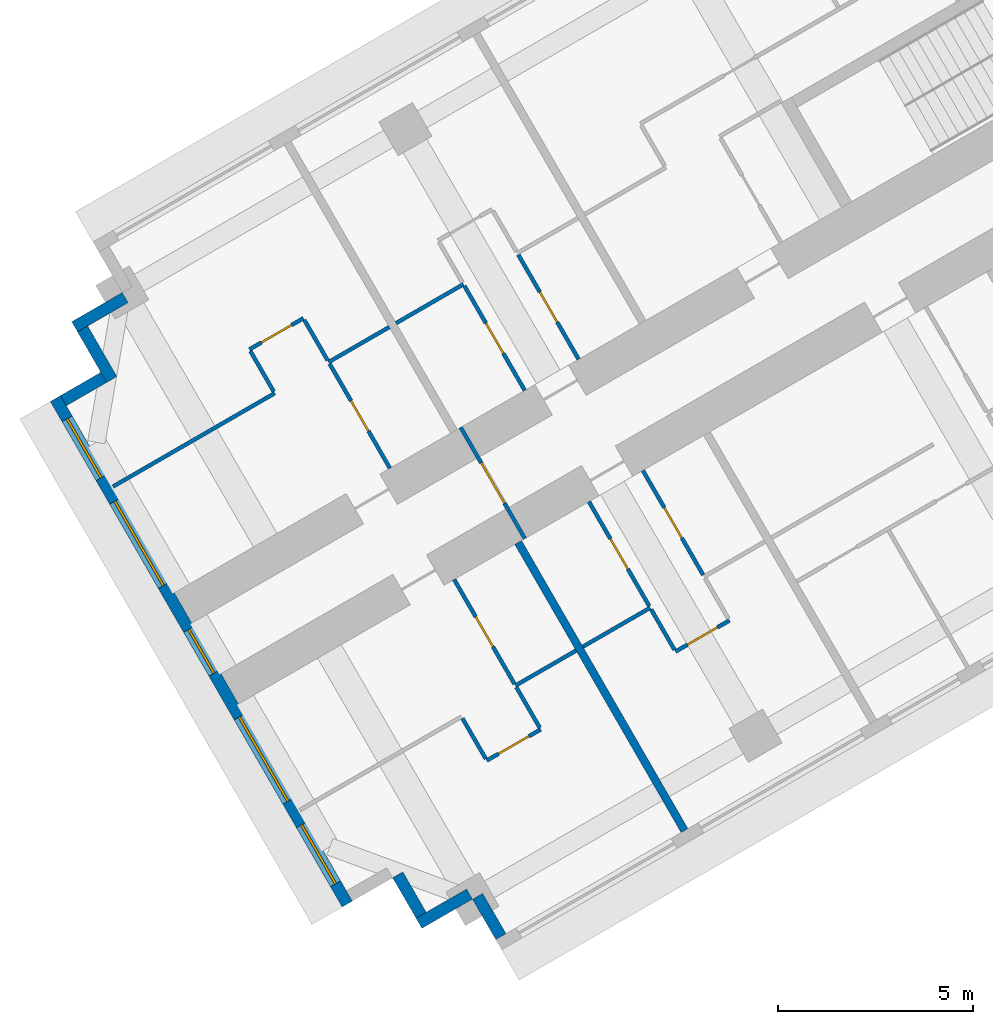
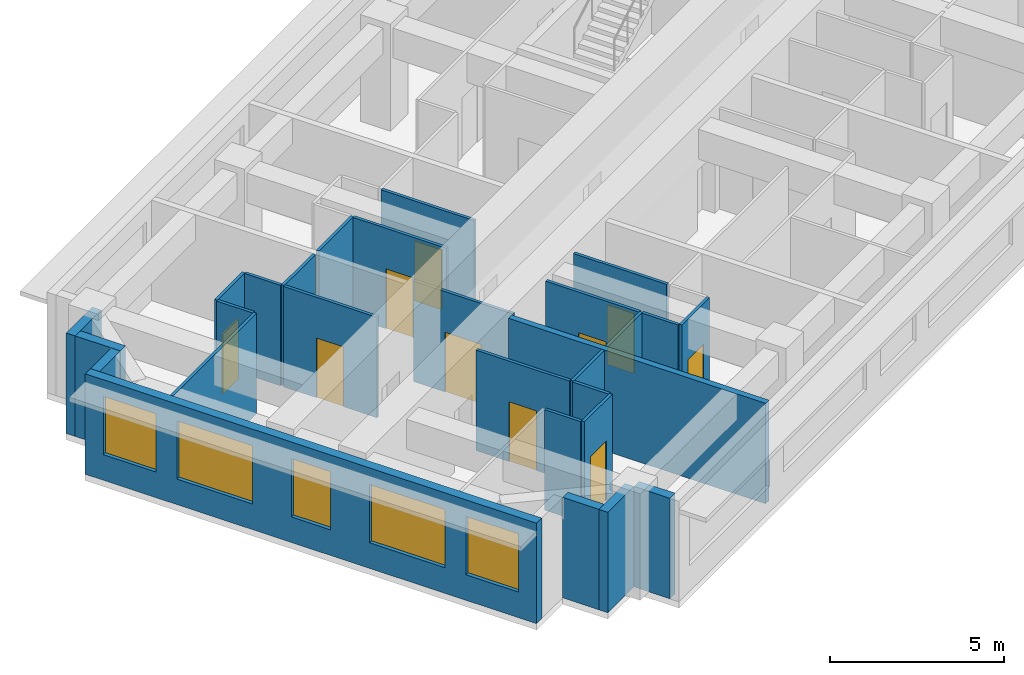
# One storey, part 3 of 15: 28 walls, 10 doors, 5 windows, 15 openings.
"""IFC4 building model written with IfcOpenShell, lengths in metres."""

from ifc_helpers import new_model, si_unit, direction, frame, frame_2d, origin, place, context, subcontext, project, spatial, rectangle, extrude, material, layer, layer_set, type_object, element, fill, save


model = new_model("IFC4")

# Units and contexts
model_context = context("Model", 3, precision=1e-05, world=origin(), true_north=direction((0.0, 1.0)))
body_context = subcontext(model_context, "Body", "Model", "MODEL_VIEW")
ifc_project = project(units=[si_unit("LENGTHUNIT", "METRE"), si_unit("AREAUNIT", "SQUARE_METRE"), si_unit("VOLUMEUNIT", "CUBIC_METRE"), si_unit("PLANEANGLEUNIT", "RADIAN"), si_unit("MASSUNIT", "GRAM", prefix="KILO")], contexts=[model_context])

# Site, building, storey
site_placement = place(None, origin())
site = spatial("IfcSite", under=ifc_project, at=site_placement, CompositionType="ELEMENT")
building_placement = place(site_placement, origin())
building = spatial("IfcBuilding", under=site, at=building_placement, Name="Impinga Residences", CompositionType="ELEMENT")
storey_placement = place(building_placement, frame((0.0, 0.0, 113.5)))
storey = spatial("IfcBuildingStorey", under=building, at=storey_placement, Name="L27", CompositionType="ELEMENT", Elevation=113.5)

# Wall, opening, door
ifc_material_1 = material(Name="Concrete blockwork", Category="masonry")
ifc_layer_1 = layer(ifc_material_1, 0.10009765625)
ifc_layer_set_1 = layer_set([ifc_layer_1], Name="CP1 core room partition, blockwork 100")
wall_type_1 = type_object("IfcWallType", Name="CP1 core room partition, blockwork 100", PredefinedType="PARTITIONING", material=ifc_layer_set_1)
wall_1_placement = place(storey_placement, frame((-33.150390625, -21.044677734375, 0.0), z_axis=(0.0, 0.0, 1.0), x_axis=(-0.50002983664, 0.866008176907, 0.0)))
wall_1 = element("IfcWall", 1, at=wall_1_placement, inside=storey, type_object=wall_type_1, Name="Core room partition, blockwork L27:W:PLB", PredefinedType="PARTITIONING", context=body_context, shape_type="SweptSolid", body=[
    extrude(rectangle(XDim=3.300048828125, YDim=0.10009765625, at=frame_2d((1.64990234375, 0.0))), origin(), (0.0, 0.0, 1.0), 3.530029296875),
])
opening_1_placement = place(wall_1_placement, frame((1.050048828125, 0.0, 0.0)))
opening_1 = element("IfcOpeningElement", 2, at=opening_1_placement, cuts=wall_1, Name="Opening D3", PredefinedType="OPENING", context=body_context, shape_type="SweptSolid", body=[
    extrude(rectangle(XDim=1.199951171875, YDim=2.10009765625, at=frame_2d((0.60009765625, 1.050048828125))), frame((0.0, 0.06005859375, 0.0), z_axis=(0.0, -1.0, 0.0), x_axis=(1.0, 0.0, 0.0)), (0.0, 0.0, 1.0), 0.1201171875),
])
ifc_material_2 = material(Name="Timber door set", Category="wood")
door_type_1 = type_object("IfcDoorType", Name="D3 room door, leaf and a half 1200x2100", OperationType="DOUBLE_SWING_LEFT", PredefinedType="DOOR", material=ifc_material_2)
door_1_placement = place(opening_1_placement, origin())
door_1 = element("IfcDoor", 3, at=door_1_placement, inside=storey, type_object=door_type_1, Name="Private lobby door W", OperationType="DOUBLE_SWING_LEFT", OverallHeight=2.10009765625, OverallWidth=1.199951171875, PredefinedType="DOOR", context=body_context, shape_type="SweptSolid", body=[
    extrude(rectangle(XDim=1.199951171875, YDim=2.10009765625, at=frame_2d((0.60009765625, 1.050048828125))), frame((0.0, 0.02490234375, 0.0), z_axis=(0.0, -1.0, 0.0), x_axis=(1.0, 0.0, 0.0)), (0.0, 0.0, 1.0), 0.050048828125),
])
fill(opening_1, door_1)

# Walls
ifc_material_3 = material(Name="Terracotta rainscreen on blockwork", Category="masonry")
ifc_layer_2 = layer(ifc_material_3, 0.300048828125)
ifc_layer_set_2 = layer_set([ifc_layer_2], Name="EW1 external wall, terracotta rainscreen on blockwork 300")
wall_type_2 = type_object("IfcWallType", Name="EW1 external wall, terracotta rainscreen on blockwork 300", PredefinedType="SOLIDWALL", material=ifc_layer_set_2)
wall_2_placement = place(storey_placement, frame((-33.7685546875, -31.274169921875, 0.0), z_axis=(0.0, 0.0, 1.0), x_axis=(-0.499940577336, 0.866059708757, 0.0)))
element("IfcWall", 4, at=wall_2_placement, inside=storey, type_object=wall_type_2, Name="External wall EW1 L27", PredefinedType="SOLIDWALL", context=body_context, shape_type="SweptSolid", body=[
    extrude(rectangle(XDim=1.195068359375, YDim=0.300048828125, at=frame_2d((0.59765625, 0.0))), origin(), (0.0, 0.0, 1.0), 3.530029296875),
])
wall_3_placement = place(storey_placement, frame((-34.573486328125, -30.18017578125, 0.0), z_axis=(0.0, 0.0, 1.0), x_axis=(-0.866031096941, -0.499990139034, 0.0)))
element("IfcWall", 5, at=wall_3_placement, inside=storey, type_object=wall_type_2, Name="External wall EW1 L27", PredefinedType="SOLIDWALL", context=body_context, shape_type="SweptSolid", body=[
    extrude(rectangle(XDim=1.5, YDim=0.300048828125, at=frame_2d((0.75, 0.0))), origin(), (0.0, 0.0, 1.0), 3.530029296875),
])
wall_4_placement = place(storey_placement, frame((-35.817626953125, -30.72509765625, 0.0), z_axis=(0.0, 0.0, 1.0), x_axis=(-0.499969057507, 0.866043267704, 0.0)))
element("IfcWall", 6, at=wall_4_placement, inside=storey, type_object=wall_type_2, Name="External wall EW1 L27", PredefinedType="SOLIDWALL", context=body_context, shape_type="SweptSolid", body=[
    extrude(rectangle(XDim=1.19970703125, YDim=0.300048828125, at=frame_2d((0.599853515625, 0.0))), origin(), (0.0, 0.0, 1.0), 3.530029296875),
])

# Wall, openings, windows
wall_5_placement = place(storey_placement, frame((-37.716552734375, -30.43603515625, 0.0), z_axis=(0.0, 0.0, 1.0), x_axis=(-0.499997186618, 0.866027028085, 0.0)))
wall_5 = element("IfcWall", 7, at=wall_5_placement, inside=storey, type_object=wall_type_2, Name="External wall EW1 L27", PredefinedType="SOLIDWALL", context=body_context, shape_type="SweptSolid", body=[
    extrude(rectangle(XDim=15.0, YDim=0.300048828125, at=frame_2d((7.5, 0.0))), origin(), (0.0, 0.0, 1.0), 3.530029296875),
])
opening_2_placement = place(wall_5_placement, frame((0.60009765625, 0.0, 0.89990234375)))
opening_2 = element("IfcOpeningElement", 8, at=opening_2_placement, cuts=wall_5, Name="Opening W1", PredefinedType="OPENING", context=body_context, shape_type="SweptSolid", body=[
    extrude(rectangle(XDim=1.75, YDim=2.050048828125, at=frame_2d((0.875, 1.02490234375))), frame((0.0, 0.159912109375, 0.0), z_axis=(0.0, -1.0, 0.0), x_axis=(1.0, 0.0, 0.0)), (0.0, 0.0, 1.0), 0.320068359375),
])
opening_3_placement = place(wall_5_placement, frame((3.050048828125, 0.0, 0.89990234375)))
opening_3 = element("IfcOpeningElement", 9, at=opening_3_placement, cuts=wall_5, Name="Opening W2", PredefinedType="OPENING", context=body_context, shape_type="SweptSolid", body=[
    extrude(rectangle(XDim=2.5, YDim=2.050048828125, at=frame_2d((1.25, 1.02490234375))), frame((0.0, 0.159912109375, 0.0), z_axis=(0.0, -1.0, 0.0), x_axis=(1.0, 0.0, 0.0)), (0.0, 0.0, 1.0), 0.320068359375),
])
opening_4_placement = place(wall_5_placement, frame((6.85009765625, 0.0, 0.89990234375)))
opening_4 = element("IfcOpeningElement", 10, at=opening_4_placement, cuts=wall_5, Name="Opening W17", PredefinedType="OPENING", context=body_context, shape_type="SweptSolid", body=[
    extrude(rectangle(XDim=1.300048828125, YDim=2.050048828125, at=frame_2d((0.64990234375, 1.02490234375))), frame((0.0, 0.159912109375, 0.0), z_axis=(0.0, -1.0, 0.0), x_axis=(1.0, 0.0, 0.0)), (0.0, 0.0, 1.0), 0.320068359375),
])
opening_5_placement = place(wall_5_placement, frame((9.449951171875, 0.0, 0.89990234375)))
opening_5 = element("IfcOpeningElement", 11, at=opening_5_placement, cuts=wall_5, Name="Opening W2", PredefinedType="OPENING", context=body_context, shape_type="SweptSolid", body=[
    extrude(rectangle(XDim=2.5, YDim=2.050048828125, at=frame_2d((1.25, 1.02490234375))), frame((0.0, 0.159912109375, 0.0), z_axis=(0.0, -1.0, 0.0), x_axis=(1.0, 0.0, 0.0)), (0.0, 0.0, 1.0), 0.320068359375),
])
opening_6_placement = place(wall_5_placement, frame((12.64990234375, 0.0, 0.89990234375)))
opening_6 = element("IfcOpeningElement", 12, at=opening_6_placement, cuts=wall_5, Name="Opening W1", PredefinedType="OPENING", context=body_context, shape_type="SweptSolid", body=[
    extrude(rectangle(XDim=1.75, YDim=2.050048828125, at=frame_2d((0.875, 1.02490234375))), frame((0.0, 0.159912109375, 0.0), z_axis=(0.0, -1.0, 0.0), x_axis=(1.0, 0.0, 0.0)), (0.0, 0.0, 1.0), 0.320068359375),
])
ifc_material_4 = material(Name="Aluminium window, clear double glazing", Category="aluminium")
window_type_1 = type_object("IfcWindowType", Name="W1 ribbon window 1750x2050", PartitioningType="SINGLE_PANEL", PredefinedType="WINDOW", material=ifc_material_4)
window_1_placement = place(opening_2_placement, origin())
window_1 = element("IfcWindow", 13, at=window_1_placement, inside=storey, type_object=window_type_1, Name="Window L27", OverallHeight=2.050048828125, OverallWidth=1.75, PartitioningType="SINGLE_PANEL", PredefinedType="WINDOW", context=body_context, shape_type="SweptSolid", body=[
    extrude(rectangle(XDim=1.75, YDim=2.050048828125, at=frame_2d((0.875, 1.02490234375))), frame((0.0, 0.030029296875, 0.0), z_axis=(0.0, -1.0, 0.0), x_axis=(1.0, 0.0, 0.0)), (0.0, 0.0, 1.0), 0.06005859375),
])
fill(opening_2, window_1)
window_2_placement = place(opening_6_placement, origin())
window_2 = element("IfcWindow", 14, at=window_2_placement, inside=storey, type_object=window_type_1, Name="Window L27", OverallHeight=2.050048828125, OverallWidth=1.75, PartitioningType="SINGLE_PANEL", PredefinedType="WINDOW", context=body_context, shape_type="SweptSolid", body=[
    extrude(rectangle(XDim=1.75, YDim=2.050048828125, at=frame_2d((0.875, 1.02490234375))), frame((0.0, 0.030029296875, 0.0), z_axis=(0.0, -1.0, 0.0), x_axis=(1.0, 0.0, 0.0)), (0.0, 0.0, 1.0), 0.06005859375),
])
fill(opening_6, window_2)
window_type_2 = type_object("IfcWindowType", Name="W17 ribbon window 1300x2050", PartitioningType="SINGLE_PANEL", PredefinedType="WINDOW", material=ifc_material_4)
window_3_placement = place(opening_4_placement, origin())
window_3 = element("IfcWindow", 15, at=window_3_placement, inside=storey, type_object=window_type_2, Name="Window L27", OverallHeight=2.050048828125, OverallWidth=1.300048828125, PartitioningType="SINGLE_PANEL", PredefinedType="WINDOW", context=body_context, shape_type="SweptSolid", body=[
    extrude(rectangle(XDim=1.300048828125, YDim=2.050048828125, at=frame_2d((0.64990234375, 1.02490234375))), frame((0.0, 0.030029296875, 0.0), z_axis=(0.0, -1.0, 0.0), x_axis=(1.0, 0.0, 0.0)), (0.0, 0.0, 1.0), 0.06005859375),
])
fill(opening_4, window_3)
window_type_3 = type_object("IfcWindowType", Name="W2 ribbon window 2500x2050", PartitioningType="SINGLE_PANEL", PredefinedType="WINDOW", material=ifc_material_4)
window_4_placement = place(opening_3_placement, origin())
window_4 = element("IfcWindow", 16, at=window_4_placement, inside=storey, type_object=window_type_3, Name="Window L27", OverallHeight=2.050048828125, OverallWidth=2.5, PartitioningType="SINGLE_PANEL", PredefinedType="WINDOW", context=body_context, shape_type="SweptSolid", body=[
    extrude(rectangle(XDim=2.5, YDim=2.050048828125, at=frame_2d((1.25, 1.02490234375))), frame((0.0, 0.030029296875, 0.0), z_axis=(0.0, -1.0, 0.0), x_axis=(1.0, 0.0, 0.0)), (0.0, 0.0, 1.0), 0.06005859375),
])
fill(opening_3, window_4)
window_5_placement = place(opening_5_placement, origin())
window_5 = element("IfcWindow", 17, at=window_5_placement, inside=storey, type_object=window_type_3, Name="Window L27", OverallHeight=2.050048828125, OverallWidth=2.5, PartitioningType="SINGLE_PANEL", PredefinedType="WINDOW", context=body_context, shape_type="SweptSolid", body=[
    extrude(rectangle(XDim=2.5, YDim=2.050048828125, at=frame_2d((1.25, 1.02490234375))), frame((0.0, 0.030029296875, 0.0), z_axis=(0.0, -1.0, 0.0), x_axis=(1.0, 0.0, 0.0)), (0.0, 0.0, 1.0), 0.06005859375),
])
fill(opening_5, window_5)

# Walls
wall_6_placement = place(storey_placement, frame((-45.01171875, -17.50048828125, 0.0), z_axis=(0.0, 0.0, 1.0), x_axis=(0.866059708757, 0.499940577336, 0.0)))
element("IfcWall", 18, at=wall_6_placement, inside=storey, type_object=wall_type_2, Name="External wall EW1 L27", PredefinedType="SOLIDWALL", context=body_context, shape_type="SweptSolid", body=[
    extrude(rectangle(XDim=1.195068359375, YDim=0.300048828125, at=frame_2d((0.59765625, 0.0))), origin(), (0.0, 0.0, 1.0), 3.530029296875),
])
for number, where, z_axis, x_axis, name in (
    (19, (-43.767578125, -16.955322265625, 0.0), (0.0, 0.0, 1.0), (-0.499990139034, 0.866031096941, 0.0), "External wall EW1 L27"),
    (20, (-44.722412109375, -15.6015625, 0.0), (0.0, 0.0, 1.0), (0.866031096941, 0.499990139034, 0.0), "External wall EW1 L27"),
):
    element("IfcWall", number, at=place(storey_placement, frame(where, z_axis=z_axis, x_axis=x_axis)), inside=storey, type_object=wall_type_2, Name=name, PredefinedType="SOLIDWALL", context=body_context, shape_type="SweptSolid", body=[
        extrude(rectangle(XDim=1.5, YDim=0.300048828125, at=frame_2d((0.75, 0.0))), origin(), (0.0, 0.0, 1.0), 3.530029296875),
    ])
ifc_material_5 = material(Name="Gypsum board on steel studs", Category="steel")
ifc_layer_3 = layer(ifc_material_5, 0.10009765625)
ifc_layer_set_3 = layer_set([ifc_layer_3], Name="Gypsum board on steel studs")
wall_type_3 = type_object("IfcWallType", Name="IP1 partition 100", PredefinedType="PARTITIONING", material=ifc_layer_set_3)
wall_7_placement = place(storey_placement, frame((-29.93017578125, -22.82275390625, 0.0), z_axis=(0.0, 0.0, 1.0), x_axis=(-0.866010750942, -0.50002537861, 0.0)))
element("IfcWall", 21, at=wall_7_placement, inside=storey, type_object=wall_type_3, Name="Partition L27-WA4:DIV1", PredefinedType="PARTITIONING", context=body_context, shape_type="SweptSolid", body=[
    extrude(rectangle(XDim=2.0, YDim=0.10009765625, at=frame_2d((1.0, 0.0))), origin(), (0.0, 0.0, 1.0), 3.530029296875),
])

# Wall, opening, door
wall_8_placement = place(storey_placement, frame((-27.89453125, -23.1484375, 0.0), z_axis=(0.0, 0.0, 1.0), x_axis=(-0.865989903783, -0.500061482766, 0.0)))
wall_8 = element("IfcWall", 22, at=wall_8_placement, inside=storey, type_object=wall_type_3, Name="Partition L27-WA4:STRIP", PredefinedType="PARTITIONING", context=body_context, shape_type="SweptSolid", body=[
    extrude(rectangle(XDim=1.599853515625, YDim=0.10009765625, at=frame_2d((0.7998046875, 0.0))), origin(), (0.0, 0.0, 1.0), 3.530029296875),
])
opening_7_placement = place(wall_8_placement, frame((0.35009765625, 0.0, 0.0)))
opening_7 = element("IfcOpeningElement", 23, at=opening_7_placement, cuts=wall_8, Name="Opening D2", PredefinedType="OPENING", context=body_context, shape_type="SweptSolid", body=[
    extrude(rectangle(XDim=0.89990234375, YDim=2.10009765625, at=frame_2d((0.449951171875, 1.050048828125))), frame((0.0, 0.06005859375, 0.0), z_axis=(0.0, -1.0, 0.0), x_axis=(1.0, 0.0, 0.0)), (0.0, 0.0, 1.0), 0.1201171875),
])
door_type_2 = type_object("IfcDoorType", Name="D2 internal door 900x2100", OperationType="SINGLE_SWING_LEFT", PredefinedType="DOOR", material=ifc_material_2)
door_2_placement = place(opening_7_placement, origin())
door_2 = element("IfcDoor", 24, at=door_2_placement, inside=storey, type_object=door_type_2, Name="Apartment L27-WA4 room door", OperationType="SINGLE_SWING_LEFT", OverallHeight=2.10009765625, OverallWidth=0.89990234375, PredefinedType="DOOR", context=body_context, shape_type="SweptSolid", body=[
    extrude(rectangle(XDim=0.89990234375, YDim=2.10009765625, at=frame_2d((0.449951171875, 1.050048828125))), frame((0.0, 0.02490234375, 0.0), z_axis=(0.0, -1.0, 0.0), x_axis=(1.0, 0.0, 0.0)), (0.0, 0.0, 1.0), 0.050048828125),
])
fill(opening_7, door_2)

# Wall
wall_9_placement = place(storey_placement, frame((-29.905029296875, -22.865966796875, 0.0), z_axis=(0.0, 0.0, 1.0), x_axis=(0.499880961361, -0.866094119867, 0.0)))
element("IfcWall", 25, at=wall_9_placement, inside=storey, type_object=wall_type_3, Name="Partition L27-WA4:SE1", PredefinedType="PARTITIONING", context=body_context, shape_type="SweptSolid", body=[
    extrude(rectangle(XDim=1.199951171875, YDim=0.10009765625, at=frame_2d((0.60009765625, 0.0))), origin(), (0.0, 0.0, 1.0), 3.530029296875),
])

# Wall, opening, door
wall_10_placement = place(storey_placement, frame((-30.119384765625, -19.294677734375, 0.0), z_axis=(0.0, 0.0, 1.0), x_axis=(0.49999285859, -0.86602952684, 0.0)))
wall_10 = element("IfcWall", 26, at=wall_10_placement, inside=storey, type_object=wall_type_3, Name="Partition L27-WA4:IB1", PredefinedType="PARTITIONING", context=body_context, shape_type="SweptSolid", body=[
    extrude(rectangle(XDim=3.10009765625, YDim=0.10009765625, at=frame_2d((1.550048828125, 0.0))), origin(), (0.0, 0.0, 1.0), 3.530029296875),
])
opening_8_placement = place(wall_10_placement, frame((1.10009765625, 0.0, 0.0)))
opening_8 = element("IfcOpeningElement", 27, at=opening_8_placement, cuts=wall_10, Name="Opening D2", PredefinedType="OPENING", context=body_context, shape_type="SweptSolid", body=[
    extrude(rectangle(XDim=0.89990234375, YDim=2.10009765625, at=frame_2d((0.449951171875, 1.050048828125))), frame((0.0, 0.06005859375, 0.0), z_axis=(0.0, -1.0, 0.0), x_axis=(1.0, 0.0, 0.0)), (0.0, 0.0, 1.0), 0.1201171875),
])
door_3_placement = place(opening_8_placement, origin())
door_3 = element("IfcDoor", 28, at=door_3_placement, inside=storey, type_object=door_type_2, Name="Apartment L27-WA4 bathroom door", OperationType="SINGLE_SWING_LEFT", OverallHeight=2.10009765625, OverallWidth=0.89990234375, PredefinedType="DOOR", context=body_context, shape_type="SweptSolid", body=[
    extrude(rectangle(XDim=0.89990234375, YDim=2.10009765625, at=frame_2d((0.449951171875, 1.050048828125))), frame((0.0, 0.02490234375, 0.0), z_axis=(0.0, -1.0, 0.0), x_axis=(1.0, 0.0, 0.0)), (0.0, 0.0, 1.0), 0.050048828125),
])
fill(opening_8, door_3)

wall_11_placement = place(storey_placement, frame((-31.505126953125, -20.0947265625, 0.0), z_axis=(0.0, 0.0, 1.0), x_axis=(0.500026960575, -0.86600983753, 0.0)))
wall_11 = element("IfcWall", 29, at=wall_11_placement, inside=storey, type_object=wall_type_3, Name="Partition L27-WA4:IB2", PredefinedType="PARTITIONING", context=body_context, shape_type="SweptSolid", body=[
    extrude(rectangle(XDim=3.099853515625, YDim=0.10009765625, at=frame_2d((1.5498046875, 0.0))), origin(), (0.0, 0.0, 1.0), 3.530029296875),
])
opening_9_placement = place(wall_11_placement, frame((1.10009765625, 0.0, 0.0)))
opening_9 = element("IfcOpeningElement", 30, at=opening_9_placement, cuts=wall_11, Name="Opening D2", PredefinedType="OPENING", context=body_context, shape_type="SweptSolid", body=[
    extrude(rectangle(XDim=0.89990234375, YDim=2.10009765625, at=frame_2d((0.449951171875, 1.050048828125))), frame((0.0, 0.06005859375, 0.0), z_axis=(0.0, -1.0, 0.0), x_axis=(1.0, 0.0, 0.0)), (0.0, 0.0, 1.0), 0.1201171875),
])
door_4_placement = place(opening_9_placement, origin())
door_4 = element("IfcDoor", 31, at=door_4_placement, inside=storey, type_object=door_type_2, Name="Apartment L27-WA4 WC door", OperationType="SINGLE_SWING_LEFT", OverallHeight=2.10009765625, OverallWidth=0.89990234375, PredefinedType="DOOR", context=body_context, shape_type="SweptSolid", body=[
    extrude(rectangle(XDim=0.89990234375, YDim=2.10009765625, at=frame_2d((0.449951171875, 1.050048828125))), frame((0.0, 0.02490234375, 0.0), z_axis=(0.0, -1.0, 0.0), x_axis=(1.0, 0.0, 0.0)), (0.0, 0.0, 1.0), 0.050048828125),
])
fill(opening_9, door_4)

# Wall
wall_12_placement = place(storey_placement, frame((-31.835205078125, -23.922607421875, 0.0), z_axis=(0.0, 0.0, 1.0), x_axis=(-0.865989075817, -0.500062916607, 0.0)))
element("IfcWall", 32, at=wall_12_placement, inside=storey, type_object=wall_type_3, Name="Partition L27-WA5:DIV0", PredefinedType="PARTITIONING", context=body_context, shape_type="SweptSolid", body=[
    extrude(rectangle(XDim=1.800048828125, YDim=0.10009765625, at=frame_2d((0.89990234375, 0.0))), origin(), (0.0, 0.0, 1.0), 3.530029296875),
])

# Wall, opening, door
wall_13_placement = place(storey_placement, frame((-32.744140625, -25.948486328125, 0.0), z_axis=(0.0, 0.0, 1.0), x_axis=(-0.866028054938, -0.499995408039, 0.0)))
wall_13 = element("IfcWall", 33, at=wall_13_placement, inside=storey, type_object=wall_type_3, Name="Partition L27-WA5:STRIP", PredefinedType="PARTITIONING", context=body_context, shape_type="SweptSolid", body=[
    extrude(rectangle(XDim=1.60009765625, YDim=0.10009765625, at=frame_2d((0.800048828125, 0.0))), origin(), (0.0, 0.0, 1.0), 3.530029296875),
])
opening_10_placement = place(wall_13_placement, frame((0.35009765625, 0.0, 0.0)))
opening_10 = element("IfcOpeningElement", 34, at=opening_10_placement, cuts=wall_13, Name="Opening D2", PredefinedType="OPENING", context=body_context, shape_type="SweptSolid", body=[
    extrude(rectangle(XDim=0.89990234375, YDim=2.10009765625, at=frame_2d((0.449951171875, 1.050048828125))), frame((0.0, 0.06005859375, 0.0), z_axis=(0.0, -1.0, 0.0), x_axis=(1.0, 0.0, 0.0)), (0.0, 0.0, 1.0), 0.1201171875),
])
door_5_placement = place(opening_10_placement, origin())
door_5 = element("IfcDoor", 35, at=door_5_placement, inside=storey, type_object=door_type_2, Name="Apartment L27-WA5 room door", OperationType="SINGLE_SWING_LEFT", OverallHeight=2.10009765625, OverallWidth=0.89990234375, PredefinedType="DOOR", context=body_context, shape_type="SweptSolid", body=[
    extrude(rectangle(XDim=0.89990234375, YDim=2.10009765625, at=frame_2d((0.449951171875, 1.050048828125))), frame((0.0, 0.02490234375, 0.0), z_axis=(0.0, -1.0, 0.0), x_axis=(1.0, 0.0, 0.0)), (0.0, 0.0, 1.0), 0.050048828125),
])
fill(opening_10, door_5)

# Walls
for number, where, z_axis, x_axis, name in (
    (36, (-33.369140625, -24.865966796875, 0.0), (0.0, 0.0, 1.0), (0.500033551112, -0.866006032174, 0.0), "Partition L27-WA5:SE0"),
    (37, (-34.7548828125, -25.666015625, 0.0), (0.0, 0.0, 1.0), (0.500033551112, -0.866006032174, 0.0), "Partition L27-WA5:SE1"),
):
    element("IfcWall", number, at=place(storey_placement, frame(where, z_axis=z_axis, x_axis=x_axis)), inside=storey, type_object=wall_type_3, Name=name, PredefinedType="PARTITIONING", context=body_context, shape_type="SweptSolid", body=[
        extrude(rectangle(XDim=1.2001953125, YDim=0.10009765625, at=frame_2d((0.60009765625, 0.0))), origin(), (0.0, 0.0, 1.0), 3.530029296875),
    ])

# Wall, opening, door
wall_14_placement = place(storey_placement, frame((-34.96923828125, -22.0947265625, 0.0), z_axis=(0.0, 0.0, 1.0), x_axis=(0.500026960575, -0.86600983753, 0.0)))
wall_14 = element("IfcWall", 38, at=wall_14_placement, inside=storey, type_object=wall_type_3, Name="Partition L27-WA5:IB1", PredefinedType="PARTITIONING", context=body_context, shape_type="SweptSolid", body=[
    extrude(rectangle(XDim=3.099853515625, YDim=0.10009765625, at=frame_2d((1.5498046875, 0.0))), origin(), (0.0, 0.0, 1.0), 3.530029296875),
])
opening_11_placement = place(wall_14_placement, frame((1.10009765625, 0.0, 0.0)))
opening_11 = element("IfcOpeningElement", 39, at=opening_11_placement, cuts=wall_14, Name="Opening D2", PredefinedType="OPENING", context=body_context, shape_type="SweptSolid", body=[
    extrude(rectangle(XDim=0.89990234375, YDim=2.10009765625, at=frame_2d((0.449951171875, 1.050048828125))), frame((0.0, 0.06005859375, 0.0), z_axis=(0.0, -1.0, 0.0), x_axis=(1.0, 0.0, 0.0)), (0.0, 0.0, 1.0), 0.1201171875),
])
door_6_placement = place(opening_11_placement, origin())
door_6 = element("IfcDoor", 40, at=door_6_placement, inside=storey, type_object=door_type_2, Name="Apartment L27-WA5 bathroom door", OperationType="SINGLE_SWING_LEFT", OverallHeight=2.10009765625, OverallWidth=0.89990234375, PredefinedType="DOOR", context=body_context, shape_type="SweptSolid", body=[
    extrude(rectangle(XDim=0.89990234375, YDim=2.10009765625, at=frame_2d((0.449951171875, 1.050048828125))), frame((0.0, 0.02490234375, 0.0), z_axis=(0.0, -1.0, 0.0), x_axis=(1.0, 0.0, 0.0)), (0.0, 0.0, 1.0), 0.050048828125),
])
fill(opening_11, door_6)

# Wall
wall_15_placement = place(storey_placement, frame((-34.72998046875, -14.5087890625, 0.0), z_axis=(0.0, 0.0, 1.0), x_axis=(-0.866041268327, -0.499972520799, 0.0)))
element("IfcWall", 41, at=wall_15_placement, inside=storey, type_object=wall_type_3, Name="Partition L27-WF3:DIV1", PredefinedType="PARTITIONING", context=body_context, shape_type="SweptSolid", body=[
    extrude(rectangle(XDim=2.0, YDim=0.10009765625, at=frame_2d((1.0, 0.0))), origin(), (0.0, 0.0, 1.0), 3.530029296875),
])

# Wall, opening, door
wall_16_placement = place(storey_placement, frame((-31.76953125, -16.436767578125, 0.0), z_axis=(0.0, 0.0, 1.0), x_axis=(-0.499967891604, 0.866043940782, 0.0)))
wall_16 = element("IfcWall", 42, at=wall_16_placement, inside=storey, type_object=wall_type_3, Name="Partition L27-WF3:IB1", PredefinedType="PARTITIONING", context=body_context, shape_type="SweptSolid", body=[
    extrude(rectangle(XDim=3.099853515625, YDim=0.10009765625, at=frame_2d((1.5498046875, 0.0))), origin(), (0.0, 0.0, 1.0), 3.530029296875),
])
opening_12_placement = place(wall_16_placement, frame((1.10009765625, 0.0, 0.0)))
opening_12 = element("IfcOpeningElement", 43, at=opening_12_placement, cuts=wall_16, Name="Opening D2", PredefinedType="OPENING", context=body_context, shape_type="SweptSolid", body=[
    extrude(rectangle(XDim=0.89990234375, YDim=2.10009765625, at=frame_2d((0.449951171875, 1.050048828125))), frame((0.0, 0.06005859375, 0.0), z_axis=(0.0, -1.0, 0.0), x_axis=(1.0, 0.0, 0.0)), (0.0, 0.0, 1.0), 0.1201171875),
])
door_7_placement = place(opening_12_placement, origin())
door_7 = element("IfcDoor", 44, at=door_7_placement, inside=storey, type_object=door_type_2, Name="Apartment L27-WF3 bathroom door", OperationType="SINGLE_SWING_LEFT", OverallHeight=2.10009765625, OverallWidth=0.89990234375, PredefinedType="DOOR", context=body_context, shape_type="SweptSolid", body=[
    extrude(rectangle(XDim=0.89990234375, YDim=2.10009765625, at=frame_2d((0.449951171875, 1.050048828125))), frame((0.0, 0.02490234375, 0.0), z_axis=(0.0, -1.0, 0.0), x_axis=(1.0, 0.0, 0.0)), (0.0, 0.0, 1.0), 0.050048828125),
])
fill(opening_12, door_7)

wall_17_placement = place(storey_placement, frame((-33.155029296875, -17.23681640625, 0.0), z_axis=(0.0, 0.0, 1.0), x_axis=(-0.500026960575, 0.86600983753, 0.0)))
wall_17 = element("IfcWall", 45, at=wall_17_placement, inside=storey, type_object=wall_type_3, Name="Partition L27-WF3:IB2", PredefinedType="PARTITIONING", context=body_context, shape_type="SweptSolid", body=[
    extrude(rectangle(XDim=3.099853515625, YDim=0.10009765625, at=frame_2d((1.5498046875, 0.0))), origin(), (0.0, 0.0, 1.0), 3.530029296875),
])
opening_13_placement = place(wall_17_placement, frame((1.10009765625, 0.0, 0.0)))
opening_13 = element("IfcOpeningElement", 46, at=opening_13_placement, cuts=wall_17, Name="Opening D2", PredefinedType="OPENING", context=body_context, shape_type="SweptSolid", body=[
    extrude(rectangle(XDim=0.89990234375, YDim=2.10009765625, at=frame_2d((0.449951171875, 1.050048828125))), frame((0.0, 0.06005859375, 0.0), z_axis=(0.0, -1.0, 0.0), x_axis=(1.0, 0.0, 0.0)), (0.0, 0.0, 1.0), 0.1201171875),
])
door_8_placement = place(opening_13_placement, origin())
door_8 = element("IfcDoor", 47, at=door_8_placement, inside=storey, type_object=door_type_2, Name="Apartment L27-WF3 WC door", OperationType="SINGLE_SWING_LEFT", OverallHeight=2.10009765625, OverallWidth=0.89990234375, PredefinedType="DOOR", context=body_context, shape_type="SweptSolid", body=[
    extrude(rectangle(XDim=0.89990234375, YDim=2.10009765625, at=frame_2d((0.449951171875, 1.050048828125))), frame((0.0, 0.02490234375, 0.0), z_axis=(0.0, -1.0, 0.0), x_axis=(1.0, 0.0, 0.0)), (0.0, 0.0, 1.0), 0.050048828125),
])
fill(opening_13, door_8)

# Walls
wall_18_placement = place(storey_placement, frame((-36.63525390625, -15.60888671875, 0.0), z_axis=(0.0, 0.0, 1.0), x_axis=(-0.866047807691, -0.499961193289, 0.0)))
element("IfcWall", 48, at=wall_18_placement, inside=storey, type_object=wall_type_3, Name="Partition L27-WF4:DIV0", PredefinedType="PARTITIONING", context=body_context, shape_type="SweptSolid", body=[
    extrude(rectangle(XDim=1.800048828125, YDim=0.10009765625, at=frame_2d((0.89990234375, 0.0))), origin(), (0.0, 0.0, 1.0), 3.530029296875),
])
wall_19_placement = place(storey_placement, frame((-39.579833984375, -17.308837890625, 0.0), z_axis=(0.0, 0.0, 1.0), x_axis=(-0.866037363387, -0.499979284789, 0.0)))
element("IfcWall", 49, at=wall_19_placement, inside=storey, type_object=wall_type_3, Name="Partition L27-WF4:DIV1", PredefinedType="PARTITIONING", context=body_context, shape_type="SweptSolid", body=[
    extrude(rectangle(XDim=4.800048828125, YDim=0.10009765625, at=frame_2d((2.39990234375, 0.0))), origin(), (0.0, 0.0, 1.0), 3.530029296875),
])

# Wall, opening, door
wall_20_placement = place(storey_placement, frame((-38.84423828125, -15.383056640625, 0.0), z_axis=(0.0, 0.0, 1.0), x_axis=(-0.865989903783, -0.500061482766, 0.0)))
wall_20 = element("IfcWall", 50, at=wall_20_placement, inside=storey, type_object=wall_type_3, Name="Partition L27-WF4:STRIP", PredefinedType="PARTITIONING", context=body_context, shape_type="SweptSolid", body=[
    extrude(rectangle(XDim=1.599853515625, YDim=0.10009765625, at=frame_2d((0.7998046875, 0.0))), origin(), (0.0, 0.0, 1.0), 3.530029296875),
])
opening_14_placement = place(wall_20_placement, frame((0.35009765625, 0.0, 0.0)))
opening_14 = element("IfcOpeningElement", 51, at=opening_14_placement, cuts=wall_20, Name="Opening D2", PredefinedType="OPENING", context=body_context, shape_type="SweptSolid", body=[
    extrude(rectangle(XDim=0.89990234375, YDim=2.10009765625, at=frame_2d((0.449951171875, 1.050048828125))), frame((0.0, 0.06005859375, 0.0), z_axis=(0.0, -1.0, 0.0), x_axis=(1.0, 0.0, 0.0)), (0.0, 0.0, 1.0), 0.1201171875),
])
door_9_placement = place(opening_14_placement, origin())
door_9 = element("IfcDoor", 52, at=door_9_placement, inside=storey, type_object=door_type_2, Name="Apartment L27-WF4 room door", OperationType="SINGLE_SWING_LEFT", OverallHeight=2.10009765625, OverallWidth=0.89990234375, PredefinedType="DOOR", context=body_context, shape_type="SweptSolid", body=[
    extrude(rectangle(XDim=0.89990234375, YDim=2.10009765625, at=frame_2d((0.449951171875, 1.050048828125))), frame((0.0, 0.02490234375, 0.0), z_axis=(0.0, -1.0, 0.0), x_axis=(1.0, 0.0, 0.0)), (0.0, 0.0, 1.0), 0.050048828125),
])
fill(opening_14, door_9)

# Walls
wall_21_placement = place(storey_placement, frame((-38.21923828125, -16.465576171875, 0.0), z_axis=(0.0, 0.0, 1.0), x_axis=(-0.499880961361, 0.866094119867, 0.0)))
element("IfcWall", 53, at=wall_21_placement, inside=storey, type_object=wall_type_3, Name="Partition L27-WF4:SE0", PredefinedType="PARTITIONING", context=body_context, shape_type="SweptSolid", body=[
    extrude(rectangle(XDim=1.199951171875, YDim=0.10009765625, at=frame_2d((0.60009765625, 0.0))), origin(), (0.0, 0.0, 1.0), 3.530029296875),
])
wall_22_placement = place(storey_placement, frame((-39.604736328125, -17.265625, 0.0), z_axis=(0.0, 0.0, 1.0), x_axis=(-0.500033551112, 0.866006032174, 0.0)))
element("IfcWall", 54, at=wall_22_placement, inside=storey, type_object=wall_type_3, Name="Partition L27-WF4:SE1", PredefinedType="PARTITIONING", context=body_context, shape_type="SweptSolid", body=[
    extrude(rectangle(XDim=1.2001953125, YDim=0.10009765625, at=frame_2d((0.60009765625, 0.0))), origin(), (0.0, 0.0, 1.0), 3.530029296875),
])

# Wall, opening, door
wall_23_placement = place(storey_placement, frame((-36.619140625, -19.23681640625, 0.0), z_axis=(0.0, 0.0, 1.0), x_axis=(-0.500026960575, 0.86600983753, 0.0)))
wall_23 = element("IfcWall", 55, at=wall_23_placement, inside=storey, type_object=wall_type_3, Name="Partition L27-WF4:IB1", PredefinedType="PARTITIONING", context=body_context, shape_type="SweptSolid", body=[
    extrude(rectangle(XDim=3.099853515625, YDim=0.10009765625, at=frame_2d((1.5498046875, 0.0))), origin(), (0.0, 0.0, 1.0), 3.530029296875),
])
opening_15_placement = place(wall_23_placement, frame((1.10009765625, 0.0, 0.0)))
opening_15 = element("IfcOpeningElement", 56, at=opening_15_placement, cuts=wall_23, Name="Opening D2", PredefinedType="OPENING", context=body_context, shape_type="SweptSolid", body=[
    extrude(rectangle(XDim=0.89990234375, YDim=2.10009765625, at=frame_2d((0.449951171875, 1.050048828125))), frame((0.0, 0.06005859375, 0.0), z_axis=(0.0, -1.0, 0.0), x_axis=(1.0, 0.0, 0.0)), (0.0, 0.0, 1.0), 0.1201171875),
])
door_10_placement = place(opening_15_placement, origin())
door_10 = element("IfcDoor", 57, at=door_10_placement, inside=storey, type_object=door_type_2, Name="Apartment L27-WF4 bathroom door", OperationType="SINGLE_SWING_LEFT", OverallHeight=2.10009765625, OverallWidth=0.89990234375, PredefinedType="DOOR", context=body_context, shape_type="SweptSolid", body=[
    extrude(rectangle(XDim=0.89990234375, YDim=2.10009765625, at=frame_2d((0.449951171875, 1.050048828125))), frame((0.0, 0.02490234375, 0.0), z_axis=(0.0, -1.0, 0.0), x_axis=(1.0, 0.0, 0.0)), (0.0, 0.0, 1.0), 0.050048828125),
])
fill(opening_15, door_10)

# Wall
ifc_layer_4 = layer(ifc_material_1, 0.199951171875)
ifc_layer_set_4 = layer_set([ifc_layer_4], Name="PW1 party wall between apartments 200")
wall_type_4 = type_object("IfcWallType", Name="PW1 party wall between apartments 200", PredefinedType="SOLIDWALL", material=ifc_layer_set_4)
wall_24_placement = place(storey_placement, frame((-33.32373046875, -21.144775390625, 0.0), z_axis=(0.0, 0.0, 1.0), x_axis=(0.499990227581, -0.86603104582, 0.0)))
element("IfcWall", 58, at=wall_24_placement, inside=storey, type_object=wall_type_4, Name="Party wall between apartments L27-WA4:PARTY", PredefinedType="SOLIDWALL", context=body_context, shape_type="SweptSolid", body=[
    extrude(rectangle(XDim=8.550048828125, YDim=0.199951171875, at=frame_2d((4.27490234375, 0.0))), origin(), (0.0, 0.0, 1.0), 3.530029296875),
])

save(model, "model.ifc")
